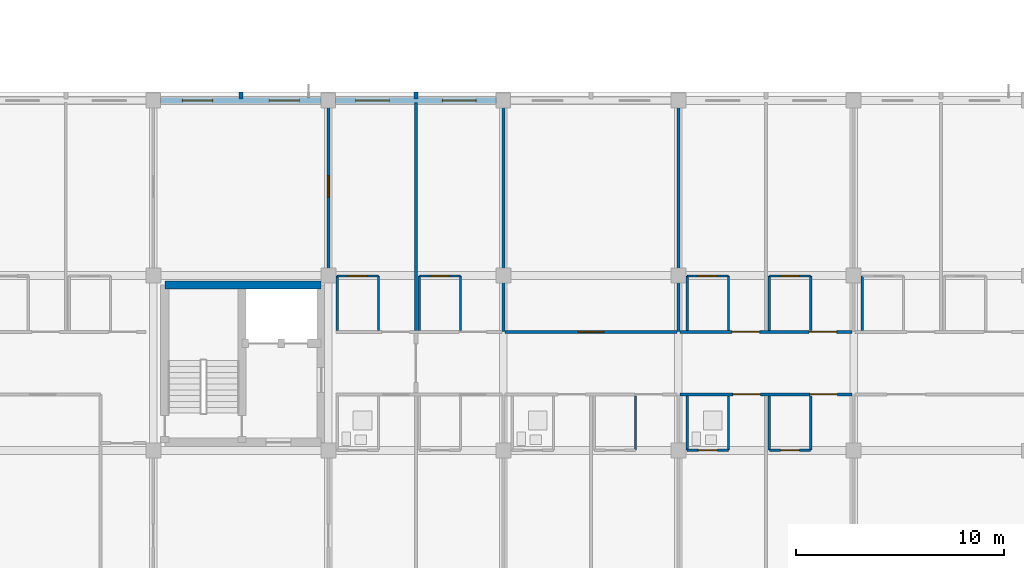
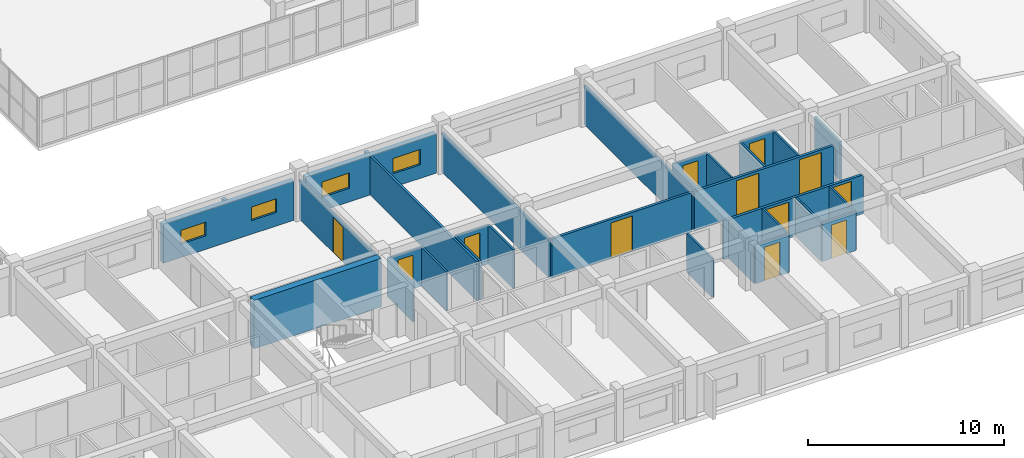
# One storey, part 118 of 148: 32 walls, 12 doors, 4 windows, 16 openings.
"""IFC4 building model written with IfcOpenShell, lengths in metres."""

from ifc_helpers import new_model, si_unit, direction, frame, frame_2d, origin, place, context, subcontext, project, spatial, rectangle, extrude, material, layer, layer_set, type_object, element, fill, save


model = new_model("IFC4")

# Units and contexts
model_context = context("Model", 3, precision=1e-05, world=origin(), true_north=direction((0.0, 1.0)))
body_context = subcontext(model_context, "Body", "Model", "MODEL_VIEW")
ifc_project = project(units=[si_unit("LENGTHUNIT", "METRE"), si_unit("AREAUNIT", "SQUARE_METRE"), si_unit("VOLUMEUNIT", "CUBIC_METRE"), si_unit("PLANEANGLEUNIT", "RADIAN"), si_unit("MASSUNIT", "GRAM", prefix="KILO")], contexts=[model_context])

# Site, building, storey
site_placement = place(None, origin())
site = spatial("IfcSite", under=ifc_project, at=site_placement, CompositionType="ELEMENT")
building_placement = place(site_placement, origin())
building = spatial("IfcBuilding", under=site, at=building_placement, Name="Trelvath General Hospital", CompositionType="ELEMENT")
storey_placement = place(building_placement, frame((0.0, 0.0, 12.89990234375)))
storey = spatial("IfcBuildingStorey", under=building, at=storey_placement, Name="L03", CompositionType="ELEMENT", Elevation=12.89990234375)

# Walls
ifc_material_1 = material(Name="Precast concrete C40/50", Category="concrete")
ifc_layer_1 = layer(ifc_material_1, 0.199951171875)
ifc_layer_set_1 = layer_set([ifc_layer_1], Name="Precast concrete C40/50")
wall_type_1 = type_object("IfcWallType", Name="BriseSoleilRib 200", PredefinedType="ELEMENTEDWALL", material=ifc_layer_set_1)
for number, where, z_axis, x_axis, name in (
    (1, (96.60009765625, 25.27490234375, 0.0), (0.0, 0.0, 1.0), (0.0, 1.0, 0.0), "Precast Concrete Brise-Soleil Rib Fin L03-278"),
    (2, (105.0, 25.27490234375, 0.0), (0.0, 0.0, 1.0), (0.0, 1.0, 0.0), "Precast Concrete Brise-Soleil Rib Fin L03-281"),
):
    element("IfcWall", number, at=place(storey_placement, frame(where, z_axis=z_axis, x_axis=x_axis)), inside=storey, type_object=wall_type_1, Name=name, PredefinedType="ELEMENTEDWALL", context=body_context, shape_type="SweptSolid", body=[
        extrude(rectangle(XDim=0.340087890625, YDim=0.199951171875, at=frame_2d((0.169921875, 0.0))), origin(), (0.0, 0.0, 1.0), 2.420166015625),
    ])

# Wall, opening, door
ifc_material_2 = material(Name="Gypsum acoustic steel-stud partition", Category="steel")
ifc_layer_2 = layer(ifc_material_2, 0.14990234375)
ifc_layer_set_2 = layer_set([ifc_layer_2], Name="Gypsum acoustic steel-stud partition")
wall_type_2 = type_object("IfcWallType", Name="ClinicalPartition 150", PredefinedType="PARTITIONING", material=ifc_layer_set_2)
wall_1_placement = place(storey_placement, frame((117.52001953125, 14.10009765625, 0.0), z_axis=(0.0, 0.0, 1.0), x_axis=(-1.0, 0.0, 0.0)))
wall_1 = element("IfcWall", 3, at=wall_1_placement, inside=storey, type_object=wall_type_2, Name="Corridor Partition N L03-1199", PredefinedType="PARTITIONING", context=body_context, shape_type="SweptSolid", body=[
    extrude(rectangle(XDim=8.239990234375, YDim=0.14990234375, at=frame_2d((4.1201171875, 0.0))), origin(), (0.0, 0.0, 1.0), 2.420166015625),
])
opening_1_placement = place(wall_1_placement, frame((3.4951171875, 0.0, 0.0)))
opening_1 = element("IfcOpeningElement", 4, at=opening_1_placement, cuts=wall_1, Name="Opening D-3-0886", PredefinedType="OPENING", context=body_context, shape_type="SweptSolid", body=[
    extrude(rectangle(XDim=1.25, YDim=2.199951171875, at=frame_2d((0.625, 1.10009765625))), frame((0.0, 0.0849609375, 0.0), z_axis=(0.0, -1.0, 0.0), x_axis=(1.0, 0.0, 0.0)), (0.0, 0.0, 1.0), 0.169921875),
])
ifc_material_3 = material(Name="Acoustic hospital timber leaf", Category="wood")
door_type_1 = type_object("IfcDoorType", Name="Door Treatment 1250x2200", OperationType="NOTDEFINED", PredefinedType="DOOR", material=ifc_material_3)
door_1_placement = place(opening_1_placement, origin())
door_1 = element("IfcDoor", 5, at=door_1_placement, inside=storey, type_object=door_type_1, Name="Clinical Room Door L03-886", OperationType="SINGLE_SWING_LEFT", OverallHeight=2.199951171875, OverallWidth=1.25, PredefinedType="DOOR", context=body_context, shape_type="SweptSolid", body=[
    extrude(rectangle(XDim=1.25, YDim=2.199951171875, at=frame_2d((0.625, 1.10009765625))), frame((0.0, 0.02490234375, 0.0), z_axis=(0.0, -1.0, 0.0), x_axis=(1.0, 0.0, 0.0)), (0.0, 0.0, 1.0), 0.050048828125),
])
fill(opening_1, door_1)

# Wall, openings, doors
wall_2_placement = place(storey_placement, frame((117.679931640625, 11.10009765625, 0.0), z_axis=(0.0, 0.0, 1.0), x_axis=(1.0, 0.0, 0.0)))
wall_2 = element("IfcWall", 6, at=wall_2_placement, inside=storey, type_object=wall_type_2, Name="Corridor Partition L03-1202", PredefinedType="PARTITIONING", context=body_context, shape_type="SweptSolid", body=[
    extrude(rectangle(XDim=8.239990234375, YDim=0.14990234375, at=frame_2d((4.1201171875, 0.0))), origin(), (0.0, 0.0, 1.0), 2.420166015625),
])
opening_2_placement = place(wall_2_placement, frame((2.530029296875, 0.0, 0.0)))
opening_2 = element("IfcOpeningElement", 7, at=opening_2_placement, cuts=wall_2, Name="Opening D-3-0887", PredefinedType="OPENING", context=body_context, shape_type="SweptSolid", body=[
    extrude(rectangle(XDim=1.320068359375, YDim=2.25, at=frame_2d((0.66015625, 1.125))), frame((0.0, 0.0849609375, 0.0), z_axis=(0.0, -1.0, 0.0), x_axis=(1.0, 0.0, 0.0)), (0.0, 0.0, 1.0), 0.169921875),
])
opening_3_placement = place(wall_2_placement, frame((6.22998046875, 0.0, 0.0)))
opening_3 = element("IfcOpeningElement", 8, at=opening_3_placement, cuts=wall_2, Name="Opening D-3-0888", PredefinedType="OPENING", context=body_context, shape_type="SweptSolid", body=[
    extrude(rectangle(XDim=1.320068359375, YDim=2.25, at=frame_2d((0.66015625, 1.125))), frame((0.0, 0.0849609375, 0.0), z_axis=(0.0, -1.0, 0.0), x_axis=(1.0, 0.0, 0.0)), (0.0, 0.0, 1.0), 0.169921875),
])
ifc_material_4 = material(Name="Maternity bed-leaf timber door", Category="wood")
door_type_2 = type_object("IfcDoorType", Name="Door PatientMaternity 1320x2250", OperationType="NOTDEFINED", PredefinedType="DOOR", material=ifc_material_4)
door_2_placement = place(opening_2_placement, origin())
door_2 = element("IfcDoor", 9, at=door_2_placement, inside=storey, type_object=door_type_2, Name="Patient Room Door L03-887", OperationType="SINGLE_SWING_RIGHT", OverallHeight=2.25, OverallWidth=1.320068359375, PredefinedType="DOOR", context=body_context, shape_type="SweptSolid", body=[
    extrude(rectangle(XDim=1.320068359375, YDim=2.25, at=frame_2d((0.66015625, 1.125))), frame((0.0, 0.02490234375, 0.0), z_axis=(0.0, -1.0, 0.0), x_axis=(1.0, 0.0, 0.0)), (0.0, 0.0, 1.0), 0.050048828125),
])
fill(opening_2, door_2)
door_3_placement = place(opening_3_placement, origin())
door_3 = element("IfcDoor", 10, at=door_3_placement, inside=storey, type_object=door_type_2, Name="Patient Room Door L03-888", OperationType="SINGLE_SWING_LEFT", OverallHeight=2.25, OverallWidth=1.320068359375, PredefinedType="DOOR", context=body_context, shape_type="SweptSolid", body=[
    extrude(rectangle(XDim=1.320068359375, YDim=2.25, at=frame_2d((0.66015625, 1.125))), frame((0.0, 0.02490234375, 0.0), z_axis=(0.0, -1.0, 0.0), x_axis=(1.0, 0.0, 0.0)), (0.0, 0.0, 1.0), 0.050048828125),
])
fill(opening_3, door_3)

wall_3_placement = place(storey_placement, frame((125.919921875, 14.10009765625, 0.0), z_axis=(0.0, 0.0, 1.0), x_axis=(-1.0, 0.0, 0.0)))
wall_3 = element("IfcWall", 11, at=wall_3_placement, inside=storey, type_object=wall_type_2, Name="Corridor Partition N L03-1210", PredefinedType="PARTITIONING", context=body_context, shape_type="SweptSolid", body=[
    extrude(rectangle(XDim=8.239990234375, YDim=0.14990234375, at=frame_2d((4.1201171875, 0.0))), origin(), (0.0, 0.0, 1.0), 2.420166015625),
])
opening_4_placement = place(wall_3_placement, frame((0.72998046875, 0.0, 0.0)))
opening_4 = element("IfcOpeningElement", 12, at=opening_4_placement, cuts=wall_3, Name="Opening D-3-0891", PredefinedType="OPENING", context=body_context, shape_type="SweptSolid", body=[
    extrude(rectangle(XDim=1.320068359375, YDim=2.25, at=frame_2d((0.66015625, 1.125))), frame((0.0, 0.0849609375, 0.0), z_axis=(0.0, -1.0, 0.0), x_axis=(1.0, 0.0, 0.0)), (0.0, 0.0, 1.0), 0.169921875),
])
opening_5_placement = place(wall_3_placement, frame((4.429931640625, 0.0, 0.0)))
opening_5 = element("IfcOpeningElement", 13, at=opening_5_placement, cuts=wall_3, Name="Opening D-3-0892", PredefinedType="OPENING", context=body_context, shape_type="SweptSolid", body=[
    extrude(rectangle(XDim=1.320068359375, YDim=2.25, at=frame_2d((0.66015625, 1.125))), frame((0.0, 0.0849609375, 0.0), z_axis=(0.0, -1.0, 0.0), x_axis=(1.0, 0.0, 0.0)), (0.0, 0.0, 1.0), 0.169921875),
])
door_4_placement = place(opening_4_placement, origin())
door_4 = element("IfcDoor", 14, at=door_4_placement, inside=storey, type_object=door_type_2, Name="Patient Room Door N L03-891", OperationType="SINGLE_SWING_RIGHT", OverallHeight=2.25, OverallWidth=1.320068359375, PredefinedType="DOOR", context=body_context, shape_type="SweptSolid", body=[
    extrude(rectangle(XDim=1.320068359375, YDim=2.25, at=frame_2d((0.66015625, 1.125))), frame((0.0, 0.02490234375, 0.0), z_axis=(0.0, -1.0, 0.0), x_axis=(1.0, 0.0, 0.0)), (0.0, 0.0, 1.0), 0.050048828125),
])
fill(opening_4, door_4)
door_5_placement = place(opening_5_placement, origin())
door_5 = element("IfcDoor", 15, at=door_5_placement, inside=storey, type_object=door_type_2, Name="Patient Room Door N L03-892", OperationType="SINGLE_SWING_RIGHT", OverallHeight=2.25, OverallWidth=1.320068359375, PredefinedType="DOOR", context=body_context, shape_type="SweptSolid", body=[
    extrude(rectangle(XDim=1.320068359375, YDim=2.25, at=frame_2d((0.66015625, 1.125))), frame((0.0, 0.02490234375, 0.0), z_axis=(0.0, -1.0, 0.0), x_axis=(1.0, 0.0, 0.0)), (0.0, 0.0, 1.0), 0.050048828125),
])
fill(opening_5, door_5)

# Walls
ifc_material_5 = material(Name="Concrete C40/50", Category="concrete")
ifc_layer_3 = layer(ifc_material_5, 0.39990234375)
ifc_layer_set_3 = layer_set([ifc_layer_3], Name="Concrete C40/50")
wall_type_3 = type_object("IfcWallType", Name="CoreShearWall 400", PredefinedType="SHEAR", material=ifc_layer_set_3)
wall_4_placement = place(storey_placement, frame((92.949951171875, 16.35009765625, 0.0), z_axis=(0.0, 0.0, 1.0), x_axis=(1.0, 0.0, 0.0)))
element("IfcWall", 16, at=wall_4_placement, inside=storey, type_object=wall_type_3, Name="Core Shear Wall C5 N L03", PredefinedType="SHEAR", context=body_context, shape_type="SweptSolid", body=[
    extrude(rectangle(XDim=7.5, YDim=0.39990234375, at=frame_2d((3.75, 0.0))), origin(), (0.0, 0.0, 1.0), 3.02001953125),
])
ifc_material_6 = material(Name="Moisture-resistant tile partition")
ifc_layer_4 = layer(ifc_material_6, 0.110107421875)
ifc_layer_set_4 = layer_set([ifc_layer_4], Name="Moisture-resistant tile partition")
wall_type_4 = type_object("IfcWallType", Name="EnSuiteWetWall 110", PredefinedType="PARTITIONING", material=ifc_layer_set_4)
for number, where, z_axis, x_axis, name in (
    (17, (101.219970703125, 14.169921875, 0.0), (0.0, 0.0, 1.0), (0.0, 1.0, 0.0), "En-Suite W Wall N L03-1182"),
    (18, (103.199951171875, 14.169921875, 0.0), (0.0, 0.0, 1.0), (0.0, 1.0, 0.0), "En-Suite E Wall N L03-1183"),
):
    element("IfcWall", number, at=place(storey_placement, frame(where, z_axis=z_axis, x_axis=x_axis)), inside=storey, type_object=wall_type_4, Name=name, PredefinedType="PARTITIONING", context=body_context, shape_type="SweptSolid", body=[
        extrude(rectangle(XDim=2.610107421875, YDim=0.110107421875, at=frame_2d((1.30517578125, 0.0))), origin(), (0.0, 0.0, 1.0), 2.420166015625),
    ])

# Wall, opening, door
wall_5_placement = place(storey_placement, frame((101.219970703125, 16.780029296875, 0.0), z_axis=(0.0, 0.0, 1.0), x_axis=(1.0, 0.0, 0.0)))
wall_5 = element("IfcWall", 19, at=wall_5_placement, inside=storey, type_object=wall_type_4, Name="En-Suite Bathroom N Partition L03-1184", PredefinedType="PARTITIONING", context=body_context, shape_type="SweptSolid", body=[
    extrude(rectangle(XDim=1.97998046875, YDim=0.110107421875, at=frame_2d((0.989990234375, 0.0))), origin(), (0.0, 0.0, 1.0), 2.420166015625),
])
opening_6_placement = place(wall_5_placement, frame((0.5400390625, 0.0, 0.0)))
opening_6 = element("IfcOpeningElement", 20, at=opening_6_placement, cuts=wall_5, Name="Opening D-3-0879", PredefinedType="OPENING", context=body_context, shape_type="SweptSolid", body=[
    extrude(rectangle(XDim=0.89990234375, YDim=2.10009765625, at=frame_2d((0.449951171875, 1.050048828125))), frame((0.0, 0.06494140625, 0.0), z_axis=(0.0, -1.0, 0.0), x_axis=(1.0, 0.0, 0.0)), (0.0, 0.0, 1.0), 0.130126953125),
])
ifc_material_7 = material(Name="Moisture-sealed timber leaf", Category="wood")
door_type_3 = type_object("IfcDoorType", Name="Door EnSuite 900x2100", OperationType="NOTDEFINED", PredefinedType="DOOR", material=ifc_material_7)
door_6_placement = place(opening_6_placement, origin())
door_6 = element("IfcDoor", 21, at=door_6_placement, inside=storey, type_object=door_type_3, Name="En-Suite Bathroom N Door L03-879", OperationType="SINGLE_SWING_LEFT", OverallHeight=2.10009765625, OverallWidth=0.89990234375, PredefinedType="DOOR", context=body_context, shape_type="SweptSolid", body=[
    extrude(rectangle(XDim=0.89990234375, YDim=2.10009765625, at=frame_2d((0.449951171875, 1.050048828125))), frame((0.0, 0.02490234375, 0.0), z_axis=(0.0, -1.0, 0.0), x_axis=(1.0, 0.0, 0.0)), (0.0, 0.0, 1.0), 0.050048828125),
])
fill(opening_6, door_6)

# Walls
for number, where, z_axis, x_axis, name in (
    (22, (105.159912109375, 14.169921875, 0.0), (0.0, 0.0, 1.0), (0.0, 1.0, 0.0), "En-Suite W Wall N L03-1185"),
    (23, (107.139892578125, 14.169921875, 0.0), (0.0, 0.0, 1.0), (0.0, 1.0, 0.0), "En-Suite E Wall N L03-1186"),
):
    element("IfcWall", number, at=place(storey_placement, frame(where, z_axis=z_axis, x_axis=x_axis)), inside=storey, type_object=wall_type_4, Name=name, PredefinedType="PARTITIONING", context=body_context, shape_type="SweptSolid", body=[
        extrude(rectangle(XDim=2.610107421875, YDim=0.110107421875, at=frame_2d((1.30517578125, 0.0))), origin(), (0.0, 0.0, 1.0), 2.420166015625),
    ])

# Wall, opening, door
wall_6_placement = place(storey_placement, frame((105.159912109375, 16.780029296875, 0.0), z_axis=(0.0, 0.0, 1.0), x_axis=(1.0, 0.0, 0.0)))
wall_6 = element("IfcWall", 24, at=wall_6_placement, inside=storey, type_object=wall_type_4, Name="En-Suite Bathroom N Partition L03-1187", PredefinedType="PARTITIONING", context=body_context, shape_type="SweptSolid", body=[
    extrude(rectangle(XDim=1.97998046875, YDim=0.110107421875, at=frame_2d((0.989990234375, 0.0))), origin(), (0.0, 0.0, 1.0), 2.420166015625),
])
opening_7_placement = place(wall_6_placement, frame((0.5400390625, 0.0, 0.0)))
opening_7 = element("IfcOpeningElement", 25, at=opening_7_placement, cuts=wall_6, Name="Opening D-3-0880", PredefinedType="OPENING", context=body_context, shape_type="SweptSolid", body=[
    extrude(rectangle(XDim=0.89990234375, YDim=2.10009765625, at=frame_2d((0.449951171875, 1.050048828125))), frame((0.0, 0.06494140625, 0.0), z_axis=(0.0, -1.0, 0.0), x_axis=(1.0, 0.0, 0.0)), (0.0, 0.0, 1.0), 0.130126953125),
])
door_7_placement = place(opening_7_placement, origin())
door_7 = element("IfcDoor", 26, at=door_7_placement, inside=storey, type_object=door_type_3, Name="En-Suite Bathroom N Door L03-880", OperationType="SINGLE_SWING_RIGHT", OverallHeight=2.10009765625, OverallWidth=0.89990234375, PredefinedType="DOOR", context=body_context, shape_type="SweptSolid", body=[
    extrude(rectangle(XDim=0.89990234375, YDim=2.10009765625, at=frame_2d((0.449951171875, 1.050048828125))), frame((0.0, 0.02490234375, 0.0), z_axis=(0.0, -1.0, 0.0), x_axis=(1.0, 0.0, 0.0)), (0.0, 0.0, 1.0), 0.050048828125),
])
fill(opening_7, door_7)

# Walls
for number, where, z_axis, x_axis, name in (
    (27, (115.5400390625, 8.419921875, 0.0), (0.0, 0.0, 1.0), (0.0, 1.0, 0.0), "En-Suite E Wall L03-1197"),
    (28, (118.02001953125, 8.419921875, 0.0), (0.0, 0.0, 1.0), (0.0, 1.0, 0.0), "En-Suite W Wall L03-1204"),
    (29, (120.0, 8.419921875, 0.0), (0.0, 0.0, 1.0), (0.0, 1.0, 0.0), "En-Suite E Wall L03-1205"),
):
    element("IfcWall", number, at=place(storey_placement, frame(where, z_axis=z_axis, x_axis=x_axis)), inside=storey, type_object=wall_type_4, Name=name, PredefinedType="PARTITIONING", context=body_context, shape_type="SweptSolid", body=[
        extrude(rectangle(XDim=2.610107421875, YDim=0.110107421875, at=frame_2d((1.30517578125, 0.0))), origin(), (0.0, 0.0, 1.0), 2.420166015625),
    ])

# Wall, opening, door
wall_7_placement = place(storey_placement, frame((118.02001953125, 8.419921875, 0.0), z_axis=(0.0, 0.0, 1.0), x_axis=(1.0, 0.0, 0.0)))
wall_7 = element("IfcWall", 30, at=wall_7_placement, inside=storey, type_object=wall_type_4, Name="En-Suite Bathroom Partition L03-1206", PredefinedType="PARTITIONING", context=body_context, shape_type="SweptSolid", body=[
    extrude(rectangle(XDim=1.97998046875, YDim=0.110107421875, at=frame_2d((0.989990234375, 0.0))), origin(), (0.0, 0.0, 1.0), 2.420166015625),
])
opening_8_placement = place(wall_7_placement, frame((0.5400390625, 0.0, 0.0)))
opening_8 = element("IfcOpeningElement", 31, at=opening_8_placement, cuts=wall_7, Name="Opening D-3-0889", PredefinedType="OPENING", context=body_context, shape_type="SweptSolid", body=[
    extrude(rectangle(XDim=0.89990234375, YDim=2.10009765625, at=frame_2d((0.449951171875, 1.050048828125))), frame((0.0, 0.06494140625, 0.0), z_axis=(0.0, -1.0, 0.0), x_axis=(1.0, 0.0, 0.0)), (0.0, 0.0, 1.0), 0.130126953125),
])
door_8_placement = place(opening_8_placement, origin())
door_8 = element("IfcDoor", 32, at=door_8_placement, inside=storey, type_object=door_type_3, Name="En-Suite Bathroom Door L03-889", OperationType="SINGLE_SWING_RIGHT", OverallHeight=2.10009765625, OverallWidth=0.89990234375, PredefinedType="DOOR", context=body_context, shape_type="SweptSolid", body=[
    extrude(rectangle(XDim=0.89990234375, YDim=2.10009765625, at=frame_2d((0.449951171875, 1.050048828125))), frame((0.0, 0.02490234375, 0.0), z_axis=(0.0, -1.0, 0.0), x_axis=(1.0, 0.0, 0.0)), (0.0, 0.0, 1.0), 0.050048828125),
])
fill(opening_8, door_8)

# Walls
for number, where, z_axis, x_axis, name in (
    (33, (121.9599609375, 8.419921875, 0.0), (0.0, 0.0, 1.0), (0.0, 1.0, 0.0), "En-Suite W Wall L03-1207"),
    (34, (123.93994140625, 8.419921875, 0.0), (0.0, 0.0, 1.0), (0.0, 1.0, 0.0), "En-Suite E Wall L03-1208"),
):
    element("IfcWall", number, at=place(storey_placement, frame(where, z_axis=z_axis, x_axis=x_axis)), inside=storey, type_object=wall_type_4, Name=name, PredefinedType="PARTITIONING", context=body_context, shape_type="SweptSolid", body=[
        extrude(rectangle(XDim=2.610107421875, YDim=0.110107421875, at=frame_2d((1.30517578125, 0.0))), origin(), (0.0, 0.0, 1.0), 2.420166015625),
    ])

# Wall, opening, door
wall_8_placement = place(storey_placement, frame((121.9599609375, 8.419921875, 0.0), z_axis=(0.0, 0.0, 1.0), x_axis=(1.0, 0.0, 0.0)))
wall_8 = element("IfcWall", 35, at=wall_8_placement, inside=storey, type_object=wall_type_4, Name="En-Suite Bathroom Partition L03-1209", PredefinedType="PARTITIONING", context=body_context, shape_type="SweptSolid", body=[
    extrude(rectangle(XDim=1.97998046875, YDim=0.110107421875, at=frame_2d((0.989990234375, 0.0))), origin(), (0.0, 0.0, 1.0), 2.420166015625),
])
opening_9_placement = place(wall_8_placement, frame((0.5400390625, 0.0, 0.0)))
opening_9 = element("IfcOpeningElement", 36, at=opening_9_placement, cuts=wall_8, Name="Opening D-3-0890", PredefinedType="OPENING", context=body_context, shape_type="SweptSolid", body=[
    extrude(rectangle(XDim=0.89990234375, YDim=2.10009765625, at=frame_2d((0.449951171875, 1.050048828125))), frame((0.0, 0.06494140625, 0.0), z_axis=(0.0, -1.0, 0.0), x_axis=(1.0, 0.0, 0.0)), (0.0, 0.0, 1.0), 0.130126953125),
])
door_9_placement = place(opening_9_placement, origin())
door_9 = element("IfcDoor", 37, at=door_9_placement, inside=storey, type_object=door_type_3, Name="En-Suite Bathroom Door L03-890", OperationType="SINGLE_SWING_LEFT", OverallHeight=2.10009765625, OverallWidth=0.89990234375, PredefinedType="DOOR", context=body_context, shape_type="SweptSolid", body=[
    extrude(rectangle(XDim=0.89990234375, YDim=2.10009765625, at=frame_2d((0.449951171875, 1.050048828125))), frame((0.0, 0.02490234375, 0.0), z_axis=(0.0, -1.0, 0.0), x_axis=(1.0, 0.0, 0.0)), (0.0, 0.0, 1.0), 0.050048828125),
])
fill(opening_9, door_9)

# Walls
for number, where, z_axis, x_axis, name in (
    (38, (118.02001953125, 14.169921875, 0.0), (0.0, 0.0, 1.0), (0.0, 1.0, 0.0), "En-Suite W Wall N L03-1212"),
    (39, (120.0, 14.169921875, 0.0), (0.0, 0.0, 1.0), (0.0, 1.0, 0.0), "En-Suite E Wall N L03-1213"),
):
    element("IfcWall", number, at=place(storey_placement, frame(where, z_axis=z_axis, x_axis=x_axis)), inside=storey, type_object=wall_type_4, Name=name, PredefinedType="PARTITIONING", context=body_context, shape_type="SweptSolid", body=[
        extrude(rectangle(XDim=2.610107421875, YDim=0.110107421875, at=frame_2d((1.30517578125, 0.0))), origin(), (0.0, 0.0, 1.0), 2.420166015625),
    ])

# Wall, opening, door
wall_9_placement = place(storey_placement, frame((118.02001953125, 16.780029296875, 0.0), z_axis=(0.0, 0.0, 1.0), x_axis=(1.0, 0.0, 0.0)))
wall_9 = element("IfcWall", 40, at=wall_9_placement, inside=storey, type_object=wall_type_4, Name="En-Suite Bathroom N Partition L03-1214", PredefinedType="PARTITIONING", context=body_context, shape_type="SweptSolid", body=[
    extrude(rectangle(XDim=1.97998046875, YDim=0.110107421875, at=frame_2d((0.989990234375, 0.0))), origin(), (0.0, 0.0, 1.0), 2.420166015625),
])
opening_10_placement = place(wall_9_placement, frame((0.5400390625, 0.0, 0.0)))
opening_10 = element("IfcOpeningElement", 41, at=opening_10_placement, cuts=wall_9, Name="Opening D-3-0893", PredefinedType="OPENING", context=body_context, shape_type="SweptSolid", body=[
    extrude(rectangle(XDim=0.89990234375, YDim=2.10009765625, at=frame_2d((0.449951171875, 1.050048828125))), frame((0.0, 0.06494140625, 0.0), z_axis=(0.0, -1.0, 0.0), x_axis=(1.0, 0.0, 0.0)), (0.0, 0.0, 1.0), 0.130126953125),
])
door_10_placement = place(opening_10_placement, origin())
door_10 = element("IfcDoor", 42, at=door_10_placement, inside=storey, type_object=door_type_3, Name="En-Suite Bathroom N Door L03-893", OperationType="SINGLE_SWING_LEFT", OverallHeight=2.10009765625, OverallWidth=0.89990234375, PredefinedType="DOOR", context=body_context, shape_type="SweptSolid", body=[
    extrude(rectangle(XDim=0.89990234375, YDim=2.10009765625, at=frame_2d((0.449951171875, 1.050048828125))), frame((0.0, 0.02490234375, 0.0), z_axis=(0.0, -1.0, 0.0), x_axis=(1.0, 0.0, 0.0)), (0.0, 0.0, 1.0), 0.050048828125),
])
fill(opening_10, door_10)

# Walls
for number, where, z_axis, x_axis, name in (
    (43, (121.9599609375, 14.169921875, 0.0), (0.0, 0.0, 1.0), (0.0, 1.0, 0.0), "En-Suite W Wall N L03-1215"),
    (44, (123.93994140625, 14.169921875, 0.0), (0.0, 0.0, 1.0), (0.0, 1.0, 0.0), "En-Suite E Wall N L03-1216"),
):
    element("IfcWall", number, at=place(storey_placement, frame(where, z_axis=z_axis, x_axis=x_axis)), inside=storey, type_object=wall_type_4, Name=name, PredefinedType="PARTITIONING", context=body_context, shape_type="SweptSolid", body=[
        extrude(rectangle(XDim=2.610107421875, YDim=0.110107421875, at=frame_2d((1.30517578125, 0.0))), origin(), (0.0, 0.0, 1.0), 2.420166015625),
    ])

# Wall, opening, door
wall_10_placement = place(storey_placement, frame((121.9599609375, 16.780029296875, 0.0), z_axis=(0.0, 0.0, 1.0), x_axis=(1.0, 0.0, 0.0)))
wall_10 = element("IfcWall", 45, at=wall_10_placement, inside=storey, type_object=wall_type_4, Name="En-Suite Bathroom N Partition L03-1217", PredefinedType="PARTITIONING", context=body_context, shape_type="SweptSolid", body=[
    extrude(rectangle(XDim=1.97998046875, YDim=0.110107421875, at=frame_2d((0.989990234375, 0.0))), origin(), (0.0, 0.0, 1.0), 2.420166015625),
])
opening_11_placement = place(wall_10_placement, frame((0.5400390625, 0.0, 0.0)))
opening_11 = element("IfcOpeningElement", 46, at=opening_11_placement, cuts=wall_10, Name="Opening D-3-0894", PredefinedType="OPENING", context=body_context, shape_type="SweptSolid", body=[
    extrude(rectangle(XDim=0.89990234375, YDim=2.10009765625, at=frame_2d((0.449951171875, 1.050048828125))), frame((0.0, 0.06494140625, 0.0), z_axis=(0.0, -1.0, 0.0), x_axis=(1.0, 0.0, 0.0)), (0.0, 0.0, 1.0), 0.130126953125),
])
door_11_placement = place(opening_11_placement, origin())
door_11 = element("IfcDoor", 47, at=door_11_placement, inside=storey, type_object=door_type_3, Name="En-Suite Bathroom N Door L03-894", OperationType="SINGLE_SWING_RIGHT", OverallHeight=2.10009765625, OverallWidth=0.89990234375, PredefinedType="DOOR", context=body_context, shape_type="SweptSolid", body=[
    extrude(rectangle(XDim=0.89990234375, YDim=2.10009765625, at=frame_2d((0.449951171875, 1.050048828125))), frame((0.0, 0.02490234375, 0.0), z_axis=(0.0, -1.0, 0.0), x_axis=(1.0, 0.0, 0.0)), (0.0, 0.0, 1.0), 0.050048828125),
])
fill(opening_11, door_11)

# Wall
wall_11_placement = place(storey_placement, frame((126.419921875, 14.169921875, 0.0), z_axis=(0.0, 0.0, 1.0), x_axis=(0.0, 1.0, 0.0)))
element("IfcWall", 48, at=wall_11_placement, inside=storey, type_object=wall_type_4, Name="En-Suite W Wall N L03-1223", PredefinedType="PARTITIONING", context=body_context, shape_type="SweptSolid", body=[
    extrude(rectangle(XDim=2.610107421875, YDim=0.110107421875, at=frame_2d((1.30517578125, 0.0))), origin(), (0.0, 0.0, 1.0), 2.420166015625),
])

# Wall, openings, windows
ifc_material_8 = material(Name="Concrete C35/45", Category="concrete")
ifc_layer_5 = layer(ifc_material_8, 0.2900390625)
ifc_layer_set_5 = layer_set([ifc_layer_5], Name="Concrete C35/45")
wall_type_5 = type_object("IfcWallType", Name="ExtBushHammeredWall 290", PredefinedType="SOLIDWALL", material=ifc_layer_set_5)
wall_12_placement = place(storey_placement, frame((92.7451171875, 25.199951171875, 0.0), z_axis=(0.0, 0.0, 1.0), x_axis=(1.0, 0.0, 0.0)))
wall_12 = element("IfcWall", 49, at=wall_12_placement, inside=storey, type_object=wall_type_5, Name="Exterior Concrete Wall L03-396", PredefinedType="SOLIDWALL", context=body_context, shape_type="SweptSolid", body=[
    extrude(rectangle(XDim=7.7099609375, YDim=0.2900390625, at=frame_2d((3.85498046875, 0.0))), origin(), (0.0, 0.0, 1.0), 2.440185546875),
])
opening_12_placement = place(wall_12_placement, frame((1.043212890625, 0.0, 0.85009765625)))
opening_12 = element("IfcOpeningElement", 50, at=opening_12_placement, cuts=wall_12, Name="Opening WN-3-641", PredefinedType="OPENING", context=body_context, shape_type="SweptSolid", body=[
    extrude(rectangle(XDim=1.4599609375, YDim=0.85009765625, at=frame_2d((0.72998046875, 0.425048828125))), frame((0.0, 0.155029296875, 0.0), z_axis=(0.0, -1.0, 0.0), x_axis=(1.0, 0.0, 0.0)), (0.0, 0.0, 1.0), 0.31005859375),
])
opening_13_placement = place(wall_12_placement, frame((5.206787109375, 0.0, 0.85009765625)))
opening_13 = element("IfcOpeningElement", 51, at=opening_13_placement, cuts=wall_12, Name="Opening WN-3-642", PredefinedType="OPENING", context=body_context, shape_type="SweptSolid", body=[
    extrude(rectangle(XDim=1.4599609375, YDim=0.85009765625, at=frame_2d((0.72998046875, 0.425048828125))), frame((0.0, 0.155029296875, 0.0), z_axis=(0.0, -1.0, 0.0), x_axis=(1.0, 0.0, 0.0)), (0.0, 0.0, 1.0), 0.31005859375),
])
ifc_material_9 = material(Name="Low-E laminated glass", Category="glass")
window_type_1 = type_object("IfcWindowType", Name="Window ImagingClere 1460x850", PartitioningType="DOUBLE_PANEL_VERTICAL", PredefinedType="WINDOW", material=ifc_material_9)
window_1_placement = place(opening_12_placement, origin())
window_1 = element("IfcWindow", 52, at=window_1_placement, inside=storey, type_object=window_type_1, Name="Solar Reveal Window L03-641", OverallHeight=0.85009765625, OverallWidth=1.4599609375, PartitioningType="SINGLE_PANEL", PredefinedType="WINDOW", context=body_context, shape_type="SweptSolid", body=[
    extrude(rectangle(XDim=1.4599609375, YDim=0.85009765625, at=frame_2d((0.72998046875, 0.425048828125))), frame((0.0, 0.030029296875, 0.0), z_axis=(0.0, -1.0, 0.0), x_axis=(1.0, 0.0, 0.0)), (0.0, 0.0, 1.0), 0.06005859375),
])
fill(opening_12, window_1)
window_2_placement = place(opening_13_placement, origin())
window_2 = element("IfcWindow", 53, at=window_2_placement, inside=storey, type_object=window_type_1, Name="Solar Reveal Window L03-642", OverallHeight=0.85009765625, OverallWidth=1.4599609375, PartitioningType="SINGLE_PANEL", PredefinedType="WINDOW", context=body_context, shape_type="SweptSolid", body=[
    extrude(rectangle(XDim=1.4599609375, YDim=0.85009765625, at=frame_2d((0.72998046875, 0.425048828125))), frame((0.0, 0.030029296875, 0.0), z_axis=(0.0, -1.0, 0.0), x_axis=(1.0, 0.0, 0.0)), (0.0, 0.0, 1.0), 0.06005859375),
])
fill(opening_13, window_2)

wall_13_placement = place(storey_placement, frame((101.14501953125, 25.199951171875, 0.0), z_axis=(0.0, 0.0, 1.0), x_axis=(1.0, 0.0, 0.0)))
wall_13 = element("IfcWall", 54, at=wall_13_placement, inside=storey, type_object=wall_type_5, Name="Exterior Concrete Wall L03-399", PredefinedType="SOLIDWALL", context=body_context, shape_type="SweptSolid", body=[
    extrude(rectangle(XDim=7.7099609375, YDim=0.2900390625, at=frame_2d((3.85498046875, 0.0))), origin(), (0.0, 0.0, 1.0), 2.440185546875),
])
opening_14_placement = place(wall_13_placement, frame((0.96337890625, 0.0, 0.85009765625)))
opening_14 = element("IfcOpeningElement", 55, at=opening_14_placement, cuts=wall_13, Name="Opening WN-3-647", PredefinedType="OPENING", context=body_context, shape_type="SweptSolid", body=[
    extrude(rectangle(XDim=1.6201171875, YDim=0.949951171875, at=frame_2d((0.81005859375, 0.47509765625))), frame((0.0, 0.155029296875, 0.0), z_axis=(0.0, -1.0, 0.0), x_axis=(1.0, 0.0, 0.0)), (0.0, 0.0, 1.0), 0.31005859375),
])
opening_15_placement = place(wall_13_placement, frame((5.126708984375, 0.0, 0.85009765625)))
opening_15 = element("IfcOpeningElement", 56, at=opening_15_placement, cuts=wall_13, Name="Opening WN-3-648", PredefinedType="OPENING", context=body_context, shape_type="SweptSolid", body=[
    extrude(rectangle(XDim=1.6201171875, YDim=0.949951171875, at=frame_2d((0.81005859375, 0.47509765625))), frame((0.0, 0.155029296875, 0.0), z_axis=(0.0, -1.0, 0.0), x_axis=(1.0, 0.0, 0.0)), (0.0, 0.0, 1.0), 0.31005859375),
])
ifc_material_10 = material(Name="Low-E laminated glass", Category="glass")
window_type_2 = type_object("IfcWindowType", Name="Window EmergencyClere 1620x950", PartitioningType="DOUBLE_PANEL_VERTICAL", PredefinedType="WINDOW", material=ifc_material_10)
window_3_placement = place(opening_14_placement, origin())
window_3 = element("IfcWindow", 57, at=window_3_placement, inside=storey, type_object=window_type_2, Name="Solar Reveal Window L03-647", OverallHeight=0.949951171875, OverallWidth=1.6201171875, PartitioningType="SINGLE_PANEL", PredefinedType="WINDOW", context=body_context, shape_type="SweptSolid", body=[
    extrude(rectangle(XDim=1.6201171875, YDim=0.949951171875, at=frame_2d((0.81005859375, 0.47509765625))), frame((0.0, 0.030029296875, 0.0), z_axis=(0.0, -1.0, 0.0), x_axis=(1.0, 0.0, 0.0)), (0.0, 0.0, 1.0), 0.06005859375),
])
fill(opening_14, window_3)
window_4_placement = place(opening_15_placement, origin())
window_4 = element("IfcWindow", 58, at=window_4_placement, inside=storey, type_object=window_type_2, Name="Solar Reveal Window L03-648", OverallHeight=0.949951171875, OverallWidth=1.6201171875, PartitioningType="SINGLE_PANEL", PredefinedType="WINDOW", context=body_context, shape_type="SweptSolid", body=[
    extrude(rectangle(XDim=1.6201171875, YDim=0.949951171875, at=frame_2d((0.81005859375, 0.47509765625))), frame((0.0, 0.030029296875, 0.0), z_axis=(0.0, -1.0, 0.0), x_axis=(1.0, 0.0, 0.0)), (0.0, 0.0, 1.0), 0.06005859375),
])
fill(opening_15, window_4)

# Wall, opening, door
ifc_material_11 = material(Name="Gypsum acoustic steel-stud partition", Category="steel")
ifc_layer_6 = layer(ifc_material_11, 0.1298828125)
ifc_layer_set_6 = layer_set([ifc_layer_6], Name="Gypsum acoustic steel-stud partition")
wall_type_6 = type_object("IfcWallType", Name="WardPartition 130", PredefinedType="PARTITIONING", material=ifc_layer_set_6)
wall_14_placement = place(storey_placement, frame((100.800048828125, 17.14990234375, 0.0), z_axis=(0.0, 0.0, 1.0), x_axis=(0.0, 1.0, 0.0)))
wall_14 = element("IfcWall", 59, at=wall_14_placement, inside=storey, type_object=wall_type_6, Name="Inter-Bay Ward Partition N L03-1170", PredefinedType="PARTITIONING", context=body_context, shape_type="SweptSolid", body=[
    extrude(rectangle(XDim=7.91015625, YDim=0.1298828125, at=frame_2d((3.955078125, 0.0))), origin(), (0.0, 0.0, 1.0), 2.420166015625),
])
opening_16_placement = place(wall_14_placement, frame((3.39990234375, 0.0, 0.0)))
opening_16 = element("IfcOpeningElement", 60, at=opening_16_placement, cuts=wall_14, Name="Opening D-3-0872", PredefinedType="OPENING", context=body_context, shape_type="SweptSolid", body=[
    extrude(rectangle(XDim=1.050048828125, YDim=2.199951171875, at=frame_2d((0.52490234375, 1.10009765625))), frame((0.0, 0.074951171875, 0.0), z_axis=(0.0, -1.0, 0.0), x_axis=(1.0, 0.0, 0.0)), (0.0, 0.0, 1.0), 0.14990234375),
])
ifc_material_12 = material(Name="Acoustic hospital timber leaf", Category="wood")
door_type_4 = type_object("IfcDoorType", Name="Door Consult 1050x2200", OperationType="NOTDEFINED", PredefinedType="DOOR", material=ifc_material_12)
door_12_placement = place(opening_16_placement, origin())
door_12 = element("IfcDoor", 61, at=door_12_placement, inside=storey, type_object=door_type_4, Name="Consultation Connecting Door L03-872", OperationType="SINGLE_SWING_LEFT", OverallHeight=2.199951171875, OverallWidth=1.050048828125, PredefinedType="DOOR", context=body_context, shape_type="SweptSolid", body=[
    extrude(rectangle(XDim=1.050048828125, YDim=2.199951171875, at=frame_2d((0.52490234375, 1.10009765625))), frame((0.0, 0.02490234375, 0.0), z_axis=(0.0, -1.0, 0.0), x_axis=(1.0, 0.0, 0.0)), (0.0, 0.0, 1.0), 0.050048828125),
])
fill(opening_16, door_12)

# Walls
wall_15_placement = place(storey_placement, frame((105.0, 14.169921875, 0.0), z_axis=(0.0, 0.0, 1.0), x_axis=(0.0, 1.0, 0.0)))
element("IfcWall", 62, at=wall_15_placement, inside=storey, type_object=wall_type_6, Name="Room Dividing Partition N L03-1181", PredefinedType="PARTITIONING", context=body_context, shape_type="SweptSolid", body=[
    extrude(rectangle(XDim=10.93017578125, YDim=0.1298828125, at=frame_2d((5.465087890625, 0.0))), origin(), (0.0, 0.0, 1.0), 2.420166015625),
])
for number, where, z_axis, x_axis, name in (
    (63, (109.199951171875, 14.1201171875, 0.0), (0.0, 0.0, 1.0), (0.0, 1.0, 0.0), "Inter-Bay Ward Partition N L03-1190"),
    (64, (117.60009765625, 14.1201171875, 0.0), (0.0, 0.0, 1.0), (0.0, 1.0, 0.0), "Inter-Bay Ward Partition N L03-1201"),
):
    element("IfcWall", number, at=place(storey_placement, frame(where, z_axis=z_axis, x_axis=x_axis)), inside=storey, type_object=wall_type_6, Name=name, PredefinedType="PARTITIONING", context=body_context, shape_type="SweptSolid", body=[
        extrude(rectangle(XDim=10.93994140625, YDim=0.1298828125, at=frame_2d((5.469970703125, 0.0))), origin(), (0.0, 0.0, 1.0), 2.420166015625),
    ])

save(model, "model.ifc")
